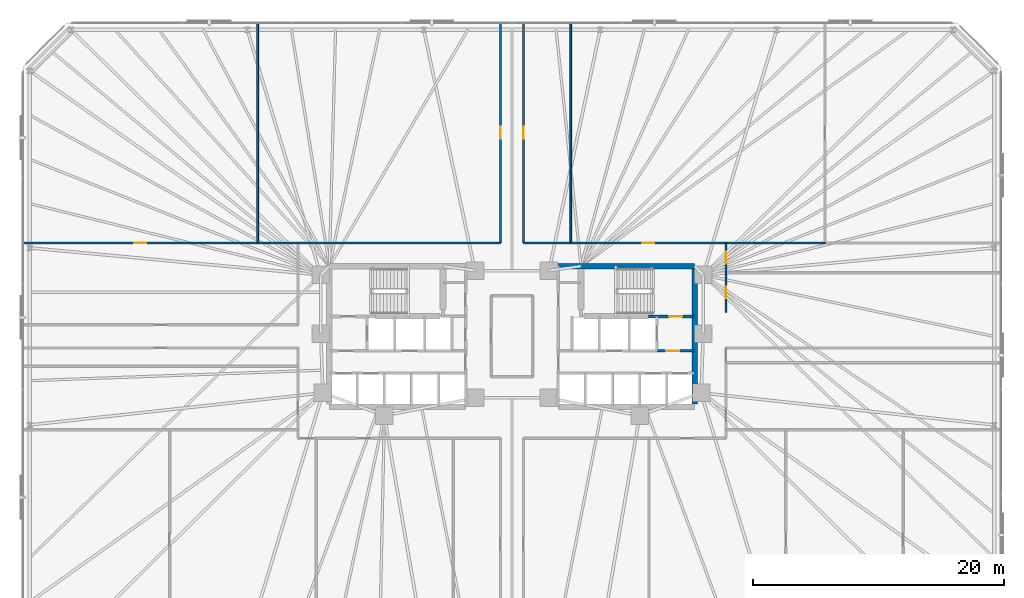
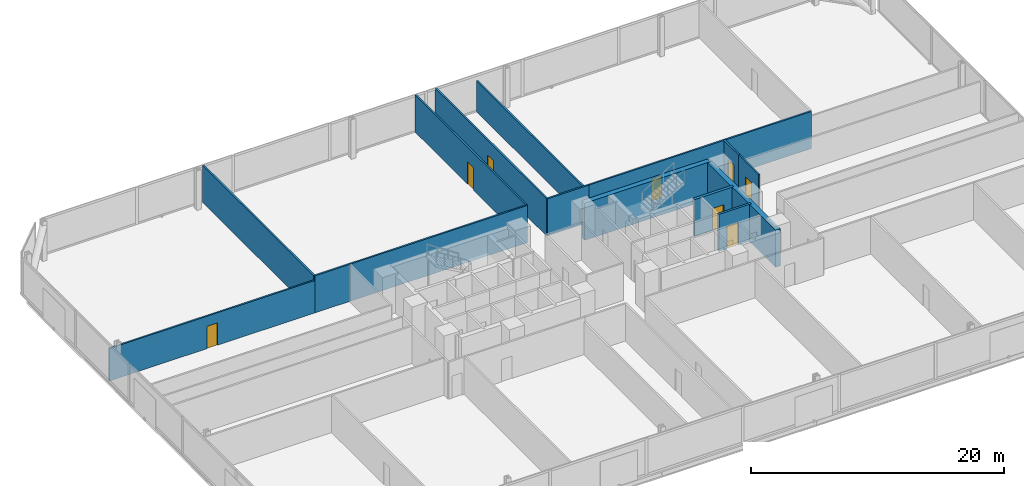
# One storey, part 14 of 17: 16 walls, 8 doors, 8 openings.
"""IFC4 building model written with IfcOpenShell, lengths in metres."""

import ifcopenshell
import ifcopenshell.guid

model = None  # the IFC model being written
_history = None  # IfcOwnerHistory: only IFC2X3 demands one
_inside = {}  # id of a spatial element -> (the spatial element, [elements in it])
_under = {}  # id of a project, library or spatial element -> (it, [spatial elements below it])
_declared = {}  # id of a project -> (the project, [libraries it declares])
_typed = {}  # id of a type object -> (the type object, [elements of that type])
_made_of = {}  # id of a material, layer set ... -> (it, [elements and type objects made of it])


def new_model(schema):
    """Start an empty IFC model of exactly this schema.

    Asked for "IFC4X3", IfcOpenShell would pick the latest addendum, in which some entities
    have other attributes; the version numbers below select the first issue.
    IFC2X3 requires an IfcOwnerHistory on every rooted entity: one is made here for all.
    """
    global model, _history
    if schema == "IFC4X3":
        model = ifcopenshell.file(schema_version=(4, 3, 0, 0))
    else:
        model = ifcopenshell.file(schema=schema)
    _inside.clear()
    _under.clear()
    _declared.clear()
    _typed.clear()
    _made_of.clear()
    _history = None
    if model.schema == "IFC2X3":
        org = make("IfcOrganization", Name="unknown")
        user = make(
            "IfcPersonAndOrganization",
            ThePerson=make("IfcPerson", FamilyName="unknown"),
            TheOrganization=org,
        )
        app = make(
            "IfcApplication",
            ApplicationDeveloper=org,
            Version="unknown",
            ApplicationFullName="unknown",
            ApplicationIdentifier="unknown",
        )
        _history = make(
            "IfcOwnerHistory",
            OwningUser=user,
            OwningApplication=app,
            ChangeAction="ADDED",
            CreationDate=0,
        )
    return model


def make(cls, **values):
    """One entity of the class cls with the attributes given. An attribute that is None is left unset."""
    return model.create_entity(
        cls, **{name: value for name, value in values.items() if value is not None}
    )


def rooted(cls, **values):
    """An entity with a GlobalId (a new one), such as an element, a storey or a relation."""
    return make(cls, GlobalId=ifcopenshell.guid.new(), OwnerHistory=_history, **values)


def si_unit(unit_type, name, prefix=None):
    """IfcSIUnit, for example si_unit("LENGTHUNIT", "METRE", prefix="MILLI")."""
    return make("IfcSIUnit", UnitType=unit_type, Prefix=prefix, Name=name)


def assignment(units):
    """IfcUnitAssignment: the units of a project."""
    return None if units is None else make("IfcUnitAssignment", Units=units)


def point(xyz):
    """IfcCartesianPoint."""
    return None if xyz is None else make("IfcCartesianPoint", Coordinates=xyz)


def direction(xyz):
    """IfcDirection."""
    return None if xyz is None else make("IfcDirection", DirectionRatios=xyz)


def frame(location, z_axis=None, x_axis=None):
    """IfcAxis2Placement3D, a coordinate frame: its origin and axes. An axis left out is left unset."""
    return make(
        "IfcAxis2Placement3D",
        Location=point(location),
        Axis=direction(z_axis),
        RefDirection=direction(x_axis),
    )


def frame_2d(location, x_axis=None):
    """IfcAxis2Placement2D, a coordinate frame in the plane: its origin and x axis."""
    return make(
        "IfcAxis2Placement2D", Location=point(location), RefDirection=direction(x_axis)
    )


def origin():
    """The frame at (0, 0, 0) with its axes left unset."""
    return frame((0.0, 0.0, 0.0))


def place(relative_to, where):
    """IfcLocalPlacement: puts the frame where relative to a parent placement (None: the world)."""
    return make(
        "IfcLocalPlacement", PlacementRelTo=relative_to, RelativePlacement=where
    )


def context(
    kind, dimensions, precision=None, world=None, true_north=None, identifier=None
):
    """IfcGeometricRepresentationContext, for example the 3D "Model" context."""
    return make(
        "IfcGeometricRepresentationContext",
        ContextIdentifier=identifier,
        ContextType=kind,
        CoordinateSpaceDimension=dimensions,
        Precision=precision,
        WorldCoordinateSystem=world,
        TrueNorth=true_north,
    )


def subcontext(parent, identifier, kind, view, scale=None):
    """IfcGeometricRepresentationSubContext, for example "Body" below "Model"."""
    return make(
        "IfcGeometricRepresentationSubContext",
        ContextIdentifier=identifier,
        ContextType=kind,
        ParentContext=parent,
        TargetScale=scale,
        TargetView=view,
    )


def project(units=None, contexts=None):
    """IfcProject with its units and contexts."""
    return rooted(
        "IfcProject",
        Name="project",
        RepresentationContexts=contexts,
        UnitsInContext=assignment(units),
    )


def spatial(cls, under=None, at=None, **own):
    """A site, building, storey or space (cls), placed at a placement, below another one or the project."""
    s = rooted(cls, ObjectPlacement=at, **own)
    if under is not None:
        _under.setdefault(under.id(), (under, []))[1].append(s)
    return s


def profile(cls, at=None, kind="AREA", **sizes):
    """A parametric profile (cls). Its sizes go by their IFC names, for example OverallWidth=200.0."""
    return make(cls, ProfileType=kind, Position=at, **sizes)


def rectangle(**sizes):
    """IfcRectangleProfileDef."""
    return profile("IfcRectangleProfileDef", **sizes)


def extrude(swept, where, along, depth):
    """IfcExtrudedAreaSolid: the profile swept, set in the frame where, extruded along a direction by depth."""
    return make(
        "IfcExtrudedAreaSolid",
        SweptArea=swept,
        Position=where,
        ExtrudedDirection=direction(along),
        Depth=depth,
    )


def shape(context_of_items, identifier, shape_type, items):
    """IfcShapeRepresentation: the items that make up one representation, for example the "Body"."""
    return make(
        "IfcShapeRepresentation",
        ContextOfItems=context_of_items,
        RepresentationIdentifier=identifier,
        RepresentationType=shape_type,
        Items=items,
    )


def material(Name=None, Category=None):
    """IfcMaterial."""
    return make("IfcMaterial", Name=Name, Category=Category)


def layer(
    of_material, thickness, ventilated=None, Name=None, Category=None, Priority=None
):
    """IfcMaterialLayer: one layer of a wall or slab, of a material (None: an air gap)."""
    return make(
        "IfcMaterialLayer",
        Material=of_material,
        LayerThickness=thickness,
        IsVentilated=ventilated,
        Name=Name,
        Category=Category,
        Priority=Priority,
    )


def layer_set(layers, Name=None):
    """IfcMaterialLayerSet."""
    return make("IfcMaterialLayerSet", MaterialLayers=layers, LayerSetName=Name)


def made_of(thing, what):
    """Note that an element or type object is made of a material, layer set ...; save() writes the relation."""
    if what is not None:
        _made_of.setdefault(what.id(), (what, []))[1].append(thing)
    return thing


def type_object(cls, material=None, **own):
    """A type object (cls), such as IfcWallType, which elements share."""
    return made_of(rooted(cls, **own), material)


def element(
    cls,
    number,
    at=None,
    inside=None,
    cuts=None,
    type_object=None,
    material=None,
    context=None,
    identifier="Body",
    shape_type=None,
    held_by="IfcProductDefinitionShape",
    body=None,
    shapes=None,
    **own,
):
    """One element of the class cls, such as IfcWall. Its Tag is "e" and its number.

    at: its placement. inside: the storey or other place that contains it. cuts: it is an
    opening in that element (IfcRelVoidsElement). A single representation is given by context,
    identifier, shape_type and body (its items); several are given by shapes. held_by: the class
    of the entity that holds the representations. save() writes the other relations.
    """
    e = rooted(cls, Tag="e%d" % number, ObjectPlacement=at, **own)
    if body is not None:
        shapes = [shape(context, identifier, shape_type, body)]
    if shapes is not None:
        e.Representation = make(held_by, Representations=shapes)
    if inside is not None:
        _inside.setdefault(inside.id(), (inside, []))[1].append(e)
    if cuts is not None:
        rooted(
            "IfcRelVoidsElement", RelatingBuildingElement=cuts, RelatedOpeningElement=e
        )
    if type_object is not None:
        _typed.setdefault(type_object.id(), (type_object, []))[1].append(e)
    return made_of(e, material)


def fill(opening, filler):
    """IfcRelFillsElement: the door or window that sits in an opening."""
    return rooted(
        "IfcRelFillsElement",
        RelatingOpeningElement=opening,
        RelatedBuildingElement=filler,
    )


def aggregate(whole, parts):
    """IfcRelAggregates: a whole, such as a stair, and the parts it consists of."""
    return rooted("IfcRelAggregates", RelatingObject=whole, RelatedObjects=parts)


def save(model, path):
    """Write the relations noted so far, then the file.

    IfcRelAggregates (storeys below a building ...), IfcRelContainedInSpatialStructure (elements
    in a storey), IfcRelDefinesByType, IfcRelAssociatesMaterial and IfcRelDeclares: one each for
    every whole, place, type object, material and project.
    """
    for whole, parts in _under.values():
        aggregate(whole, parts)
    for where, things in _inside.values():
        rooted(
            "IfcRelContainedInSpatialStructure",
            RelatedElements=things,
            RelatingStructure=where,
        )
    for kind, things in _typed.values():
        rooted("IfcRelDefinesByType", RelatedObjects=things, RelatingType=kind)
    for what, things in _made_of.values():
        rooted("IfcRelAssociatesMaterial", RelatedObjects=things, RelatingMaterial=what)
    for by, libraries in _declared.values():
        rooted("IfcRelDeclares", RelatingContext=by, RelatedDefinitions=libraries)
    model.write(path)


model = new_model("IFC4")

# Units and contexts
model_context = context("Model", 3, precision=1e-05, world=origin(), true_north=direction((0.0, 1.0)))
body_context = subcontext(model_context, "Body", "Model", "MODEL_VIEW")
ifc_project = project(units=[si_unit("LENGTHUNIT", "METRE"), si_unit("AREAUNIT", "SQUARE_METRE"), si_unit("VOLUMEUNIT", "CUBIC_METRE"), si_unit("PLANEANGLEUNIT", "RADIAN"), si_unit("MASSUNIT", "GRAM", prefix="KILO")], contexts=[model_context])

# Site, building, storey
site_placement = place(None, origin())
site = spatial("IfcSite", under=ifc_project, at=site_placement, CompositionType="ELEMENT")
building_placement = place(site_placement, origin())
building = spatial("IfcBuilding", under=site, at=building_placement, Name="Menara Jurai Vektor", CompositionType="ELEMENT")
storey_placement = place(building_placement, frame((0.0, 0.0, 29.39990234375)))
storey = spatial("IfcBuildingStorey", under=building, at=storey_placement, Name="L06", CompositionType="ELEMENT", Elevation=29.39990234375)

# Wall, opening, door
ifc_material_1 = material(Name="Concrete C40/50", Category="concrete")
ifc_layer_1 = layer(ifc_material_1, 0.25)
ifc_layer_set_1 = layer_set([ifc_layer_1], Name="Concrete C40/50")
wall_type_1 = type_object("IfcWallType", Name="INT-WALL-CORE-250", PredefinedType="STANDARD", material=ifc_layer_set_1)
wall_1_placement = place(storey_placement, frame((10.89990234375, 1.60009765625, 0.0), z_axis=(0.0, 0.0, 1.0), x_axis=(1.0, 0.0, 0.0)))
wall_1 = element("IfcWall", 1, at=wall_1_placement, inside=storey, type_object=wall_type_1, Name="Interior Wall IW-250 L06", PredefinedType="STANDARD", context=body_context, shape_type="SweptSolid", body=[
    extrude(rectangle(XDim=3.60009765625, YDim=0.25, at=frame_2d((1.800048828125, 0.0))), origin(), (0.0, 0.0, 1.0), 3.5751953125),
])
opening_1_placement = place(wall_1_placement, frame((1.6201171875, 0.0, 0.0)))
opening_1 = element("IfcOpeningElement", 2, at=opening_1_placement, cuts=wall_1, Name="Opening D-L06-ST2", PredefinedType="OPENING", context=body_context, shape_type="SweptSolid", body=[
    extrude(rectangle(XDim=1.050048828125, YDim=2.14990234375, at=frame_2d((0.52490234375, 1.074951171875))), frame((0.0, 0.135009765625, 0.0), z_axis=(0.0, -1.0, 0.0), x_axis=(1.0, 0.0, 0.0)), (0.0, 0.0, 1.0), 0.27001953125),
])
ifc_material_2 = material(Name="Fire-Rated Steel Door", Category="steel")
door_type_1 = type_object("IfcDoorType", Name="DR-STAIR-1050", OperationType="NOTDEFINED", PredefinedType="DOOR", material=ifc_material_2)
door_1_placement = place(opening_1_placement, origin())
door_1 = element("IfcDoor", 3, at=door_1_placement, inside=storey, type_object=door_type_1, Name="Exit Stair ST2 Door L06", OperationType="SINGLE_SWING_LEFT", OverallHeight=2.14990234375, OverallWidth=1.050048828125, PredefinedType="DOOR", context=body_context, shape_type="SweptSolid", body=[
    extrude(rectangle(XDim=1.050048828125, YDim=2.14990234375, at=frame_2d((0.52490234375, 1.074951171875))), frame((0.0, 0.02490234375, 0.0), z_axis=(0.0, -1.0, 0.0), x_axis=(1.0, 0.0, 0.0)), (0.0, 0.0, 1.0), 0.050048828125),
])
fill(opening_1, door_1)

wall_2_placement = place(storey_placement, frame((11.550048828125, -1.14990234375, 0.0), z_axis=(0.0, 0.0, 1.0), x_axis=(1.0, 0.0, 0.0)))
wall_2 = element("IfcWall", 4, at=wall_2_placement, inside=storey, type_object=wall_type_1, Name="Interior Wall IW-250 L06", PredefinedType="STANDARD", context=body_context, shape_type="SweptSolid", body=[
    extrude(rectangle(XDim=2.949951171875, YDim=0.199951171875, at=frame_2d((1.47509765625, 0.0))), origin(), (0.0, 0.0, 1.0), 3.5751953125),
])
opening_2_placement = place(wall_2_placement, frame((0.75, 0.0, 0.0)))
opening_2 = element("IfcOpeningElement", 5, at=opening_2_placement, cuts=wall_2, Name="Opening D-L06-FFE", PredefinedType="OPENING", context=body_context, shape_type="SweptSolid", body=[
    extrude(rectangle(XDim=1.050048828125, YDim=2.179931640625, at=frame_2d((0.52490234375, 1.08984375))), frame((0.0, 0.10986328125, 0.0), z_axis=(0.0, -1.0, 0.0), x_axis=(1.0, 0.0, 0.0)), (0.0, 0.0, 1.0), 0.219970703125),
])
ifc_material_3 = material(Name="Fire-Rated Timber Door", Category="wood")
door_type_2 = type_object("IfcDoorType", Name="DR-LOBBY-1050", OperationType="NOTDEFINED", PredefinedType="DOOR", material=ifc_material_3)
door_2_placement = place(opening_2_placement, origin())
door_2 = element("IfcDoor", 6, at=door_2_placement, inside=storey, type_object=door_type_2, Name="Fire Lift Lobby Door E L06", OperationType="SINGLE_SWING_LEFT", OverallHeight=2.179931640625, OverallWidth=1.050048828125, PredefinedType="DOOR", context=body_context, shape_type="SweptSolid", body=[
    extrude(rectangle(XDim=1.050048828125, YDim=2.179931640625, at=frame_2d((0.52490234375, 1.08984375))), frame((0.0, 0.02490234375, 0.0), z_axis=(0.0, -1.0, 0.0), x_axis=(1.0, 0.0, 0.0)), (0.0, 0.0, 1.0), 0.050048828125),
])
fill(opening_2, door_2)

# Wall
ifc_material_4 = material(Name="Gypsum Fireboard Partition", Category="gypsum")
ifc_layer_2 = layer(ifc_material_4, 0.14990234375)
ifc_layer_set_2 = layer_set([ifc_layer_2], Name="Gypsum Fireboard Partition")
wall_type_2 = type_object("IfcWallType", Name="INT-WALL-CORR-150", PredefinedType="PARTITIONING", material=ifc_layer_set_2)
wall_3_placement = place(storey_placement, frame((-17.05908203125, 7.449951171875, 0.0), z_axis=(0.0, 0.0, 1.0), x_axis=(1.0, 0.0, 0.0)))
element("IfcWall", 7, at=wall_3_placement, inside=storey, type_object=wall_type_2, Name="Interior Wall IW-150 L06", PredefinedType="PARTITIONING", context=body_context, shape_type="SweptSolid", body=[
    extrude(rectangle(XDim=16.13916015625, YDim=0.14990234375, at=frame_2d((8.069580078125, 0.0))), origin(), (0.0, 0.0, 1.0), 3.5751953125),
])

# Wall, opening, door
wall_4_placement = place(storey_placement, frame((-0.919921875, 7.449951171875, 0.0), z_axis=(0.0, 0.0, 1.0), x_axis=(0.0, 1.0, 0.0)))
wall_4 = element("IfcWall", 8, at=wall_4_placement, inside=storey, type_object=wall_type_2, Name="Interior Wall IW-150 L06", PredefinedType="PARTITIONING", context=body_context, shape_type="SweptSolid", body=[
    extrude(rectangle(XDim=17.550048828125, YDim=0.14990234375, at=frame_2d((8.77490234375, 0.0))), origin(), (0.0, 0.0, 1.0), 3.5751953125),
])
opening_3_placement = place(wall_4_placement, frame((8.300048828125, 0.0, 0.0)))
opening_3 = element("IfcOpeningElement", 9, at=opening_3_placement, cuts=wall_4, Name="Opening D06-05", PredefinedType="OPENING", context=body_context, shape_type="SweptSolid", body=[
    extrude(rectangle(XDim=0.949951171875, YDim=2.14990234375, at=frame_2d((0.47509765625, 1.074951171875))), frame((0.0, 0.0849609375, 0.0), z_axis=(0.0, -1.0, 0.0), x_axis=(1.0, 0.0, 0.0)), (0.0, 0.0, 1.0), 0.169921875),
])
ifc_material_5 = material(Name="Solid Core Timber Fire Door", Category="wood")
door_type_3 = type_object("IfcDoorType", Name="DR-ENTRY-950", OperationType="NOTDEFINED", PredefinedType="DOOR", material=ifc_material_5)
door_3_placement = place(opening_3_placement, origin())
door_3 = element("IfcDoor", 10, at=door_3_placement, inside=storey, type_object=door_type_3, Name="Interior Door D06-05", OperationType="SINGLE_SWING_RIGHT", OverallHeight=2.14990234375, OverallWidth=0.949951171875, PredefinedType="DOOR", context=body_context, shape_type="SweptSolid", body=[
    extrude(rectangle(XDim=0.949951171875, YDim=2.14990234375, at=frame_2d((0.47509765625, 1.074951171875))), frame((0.0, 0.02490234375, 0.0), z_axis=(0.0, -1.0, 0.0), x_axis=(1.0, 0.0, 0.0)), (0.0, 0.0, 1.0), 0.050048828125),
])
fill(opening_3, door_3)

wall_5_placement = place(storey_placement, frame((0.919921875, 7.449951171875, 0.0), z_axis=(0.0, 0.0, 1.0), x_axis=(0.0, 1.0, 0.0)))
wall_5 = element("IfcWall", 11, at=wall_5_placement, inside=storey, type_object=wall_type_2, Name="Interior Wall IW-150 L06", PredefinedType="PARTITIONING", context=body_context, shape_type="SweptSolid", body=[
    extrude(rectangle(XDim=17.550048828125, YDim=0.14990234375, at=frame_2d((8.77490234375, 0.0))), origin(), (0.0, 0.0, 1.0), 3.5751953125),
])
opening_4_placement = place(wall_5_placement, frame((8.300048828125, 0.0, 0.0)))
opening_4 = element("IfcOpeningElement", 12, at=opening_4_placement, cuts=wall_5, Name="Opening D06-06", PredefinedType="OPENING", context=body_context, shape_type="SweptSolid", body=[
    extrude(rectangle(XDim=0.949951171875, YDim=2.14990234375, at=frame_2d((0.47509765625, 1.074951171875))), frame((0.0, 0.0849609375, 0.0), z_axis=(0.0, -1.0, 0.0), x_axis=(1.0, 0.0, 0.0)), (0.0, 0.0, 1.0), 0.169921875),
])
door_4_placement = place(opening_4_placement, origin())
door_4 = element("IfcDoor", 13, at=door_4_placement, inside=storey, type_object=door_type_3, Name="Interior Door D06-06", OperationType="SINGLE_SWING_LEFT", OverallHeight=2.14990234375, OverallWidth=0.949951171875, PredefinedType="DOOR", context=body_context, shape_type="SweptSolid", body=[
    extrude(rectangle(XDim=0.949951171875, YDim=2.14990234375, at=frame_2d((0.47509765625, 1.074951171875))), frame((0.0, 0.02490234375, 0.0), z_axis=(0.0, -1.0, 0.0), x_axis=(1.0, 0.0, 0.0)), (0.0, 0.0, 1.0), 0.050048828125),
])
fill(opening_4, door_4)

# Wall
wall_6_placement = place(storey_placement, frame((0.919921875, 7.449951171875, 0.0), z_axis=(0.0, 0.0, 1.0), x_axis=(1.0, 0.0, 0.0)))
element("IfcWall", 14, at=wall_6_placement, inside=storey, type_object=wall_type_2, Name="Interior Wall IW-150 L06", PredefinedType="PARTITIONING", context=body_context, shape_type="SweptSolid", body=[
    extrude(rectangle(XDim=3.760009765625, YDim=0.14990234375, at=frame_2d((1.8798828125, 0.0))), origin(), (0.0, 0.0, 1.0), 3.5751953125),
])

# Wall, opening, door
wall_7_placement = place(storey_placement, frame((4.679931640625, 7.449951171875, 0.0), z_axis=(0.0, 0.0, 1.0), x_axis=(1.0, 0.0, 0.0)))
wall_7 = element("IfcWall", 15, at=wall_7_placement, inside=storey, type_object=wall_type_2, Name="Interior Wall IW-150 L06", PredefinedType="PARTITIONING", context=body_context, shape_type="SweptSolid", body=[
    extrude(rectangle(XDim=12.379150390625, YDim=0.14990234375, at=frame_2d((6.189453125, 0.0))), origin(), (0.0, 0.0, 1.0), 3.5751953125),
])
opening_5_placement = place(wall_7_placement, frame((5.714599609375, 0.0, 0.0)))
opening_5 = element("IfcOpeningElement", 16, at=opening_5_placement, cuts=wall_7, Name="Opening D06-07", PredefinedType="OPENING", context=body_context, shape_type="SweptSolid", body=[
    extrude(rectangle(XDim=0.949951171875, YDim=2.14990234375, at=frame_2d((0.47509765625, 1.074951171875))), frame((0.0, 0.0849609375, 0.0), z_axis=(0.0, -1.0, 0.0), x_axis=(1.0, 0.0, 0.0)), (0.0, 0.0, 1.0), 0.169921875),
])
door_5_placement = place(opening_5_placement, origin())
door_5 = element("IfcDoor", 17, at=door_5_placement, inside=storey, type_object=door_type_3, Name="Interior Door D06-07", OperationType="SINGLE_SWING_RIGHT", OverallHeight=2.14990234375, OverallWidth=0.949951171875, PredefinedType="DOOR", context=body_context, shape_type="SweptSolid", body=[
    extrude(rectangle(XDim=0.949951171875, YDim=2.14990234375, at=frame_2d((0.47509765625, 1.074951171875))), frame((0.0, 0.02490234375, 0.0), z_axis=(0.0, -1.0, 0.0), x_axis=(1.0, 0.0, 0.0)), (0.0, 0.0, 1.0), 0.050048828125),
])
fill(opening_5, door_5)

wall_8_placement = place(storey_placement, frame((17.05908203125, 1.93701171875, 0.0), z_axis=(0.0, 0.0, 1.0), x_axis=(0.0, 1.0, 0.0)))
wall_8 = element("IfcWall", 18, at=wall_8_placement, inside=storey, type_object=wall_type_2, Name="Interior Wall IW-150 L06", PredefinedType="PARTITIONING", context=body_context, shape_type="SweptSolid", body=[
    extrude(rectangle(XDim=3.12890625, YDim=0.14990234375, at=frame_2d((1.564453125, 0.0))), origin(), (0.0, 0.0, 1.0), 3.5751953125),
])
opening_6_placement = place(wall_8_placement, frame((1.089599609375, 0.0, 0.0)))
opening_6 = element("IfcOpeningElement", 19, at=opening_6_placement, cuts=wall_8, Name="Opening D06-18", PredefinedType="OPENING", context=body_context, shape_type="SweptSolid", body=[
    extrude(rectangle(XDim=0.949951171875, YDim=2.14990234375, at=frame_2d((0.47509765625, 1.074951171875))), frame((0.0, 0.0849609375, 0.0), z_axis=(0.0, -1.0, 0.0), x_axis=(1.0, 0.0, 0.0)), (0.0, 0.0, 1.0), 0.169921875),
])
door_6_placement = place(opening_6_placement, origin())
door_6 = element("IfcDoor", 20, at=door_6_placement, inside=storey, type_object=door_type_3, Name="Interior Door D06-18", OperationType="SINGLE_SWING_LEFT", OverallHeight=2.14990234375, OverallWidth=0.949951171875, PredefinedType="DOOR", context=body_context, shape_type="SweptSolid", body=[
    extrude(rectangle(XDim=0.949951171875, YDim=2.14990234375, at=frame_2d((0.47509765625, 1.074951171875))), frame((0.0, 0.02490234375, 0.0), z_axis=(0.0, -1.0, 0.0), x_axis=(1.0, 0.0, 0.0)), (0.0, 0.0, 1.0), 0.050048828125),
])
fill(opening_6, door_6)

wall_9_placement = place(storey_placement, frame((17.05908203125, 5.06591796875, 0.0), z_axis=(0.0, 0.0, 1.0), x_axis=(0.0, 1.0, 0.0)))
wall_9 = element("IfcWall", 21, at=wall_9_placement, inside=storey, type_object=wall_type_2, Name="Interior Wall IW-150 L06", PredefinedType="PARTITIONING", context=body_context, shape_type="SweptSolid", body=[
    extrude(rectangle(XDim=2.384033203125, YDim=0.14990234375, at=frame_2d((1.19189453125, 0.0))), origin(), (0.0, 0.0, 1.0), 3.5751953125),
])
opening_7_placement = place(wall_9_placement, frame((0.717041015625, 0.0, 0.0)))
opening_7 = element("IfcOpeningElement", 22, at=opening_7_placement, cuts=wall_9, Name="Opening D06-19", PredefinedType="OPENING", context=body_context, shape_type="SweptSolid", body=[
    extrude(rectangle(XDim=0.949951171875, YDim=2.14990234375, at=frame_2d((0.47509765625, 1.074951171875))), frame((0.0, 0.0849609375, 0.0), z_axis=(0.0, -1.0, 0.0), x_axis=(1.0, 0.0, 0.0)), (0.0, 0.0, 1.0), 0.169921875),
])
door_7_placement = place(opening_7_placement, origin())
door_7 = element("IfcDoor", 23, at=door_7_placement, inside=storey, type_object=door_type_3, Name="Interior Door D06-19", OperationType="SINGLE_SWING_RIGHT", OverallHeight=2.14990234375, OverallWidth=0.949951171875, PredefinedType="DOOR", context=body_context, shape_type="SweptSolid", body=[
    extrude(rectangle(XDim=0.949951171875, YDim=2.14990234375, at=frame_2d((0.47509765625, 1.074951171875))), frame((0.0, 0.02490234375, 0.0), z_axis=(0.0, -1.0, 0.0), x_axis=(1.0, 0.0, 0.0)), (0.0, 0.0, 1.0), 0.050048828125),
])
fill(opening_7, door_7)

# Walls
wall_10_placement = place(storey_placement, frame((-20.280029296875, 7.449951171875, 0.0), z_axis=(0.0, 0.0, 1.0), x_axis=(0.0, 1.0, 0.0)))
element("IfcWall", 24, at=wall_10_placement, inside=storey, type_object=wall_type_2, Name="Interior Wall IW-150 L06", PredefinedType="PARTITIONING", context=body_context, shape_type="SweptSolid", body=[
    extrude(rectangle(XDim=17.550048828125, YDim=0.14990234375, at=frame_2d((8.77490234375, 0.0))), origin(), (0.0, 0.0, 1.0), 3.5751953125),
])
wall_11_placement = place(storey_placement, frame((-20.280029296875, 7.449951171875, 0.0), z_axis=(0.0, 0.0, 1.0), x_axis=(1.0, 0.0, 0.0)))
element("IfcWall", 25, at=wall_11_placement, inside=storey, type_object=wall_type_2, Name="Interior Wall IW-150 L06", PredefinedType="PARTITIONING", context=body_context, shape_type="SweptSolid", body=[
    extrude(rectangle(XDim=3.220947265625, YDim=0.14990234375, at=frame_2d((1.6103515625, 0.0))), origin(), (0.0, 0.0, 1.0), 3.5751953125),
])
wall_12_placement = place(storey_placement, frame((17.05908203125, 7.449951171875, 0.0), z_axis=(0.0, 0.0, 1.0), x_axis=(1.0, 0.0, 0.0)))
element("IfcWall", 26, at=wall_12_placement, inside=storey, type_object=wall_type_2, Name="Interior Wall IW-150 L06", PredefinedType="PARTITIONING", context=body_context, shape_type="SweptSolid", body=[
    extrude(rectangle(XDim=7.90087890625, YDim=0.14990234375, at=frame_2d((3.950439453125, 0.0))), origin(), (0.0, 0.0, 1.0), 3.5751953125),
])

# Wall, opening, door
ifc_layer_3 = layer(ifc_material_4, 0.14990234375)
ifc_layer_set_3 = layer_set([ifc_layer_3], Name="Gypsum Fireboard Partition")
wall_type_3 = type_object("IfcWallType", Name="INT-WALL-CORR-150-H1", PredefinedType="PARTITIONING", material=ifc_layer_set_3)
wall_13_placement = place(storey_placement, frame((-39.0, 7.449951171875, 0.0), z_axis=(0.0, 0.0, 1.0), x_axis=(1.0, 0.0, 0.0)))
wall_13 = element("IfcWall", 27, at=wall_13_placement, inside=storey, type_object=wall_type_3, Name="Interior Wall IW-150 L06", PredefinedType="PARTITIONING", context=body_context, shape_type="SweptSolid", body=[
    extrude(rectangle(XDim=18.719970703125, YDim=0.14990234375, at=frame_2d((9.35986328125, 0.0))), origin(), (0.0, 0.0, 1.0), 3.125),
])
opening_8_placement = place(wall_13_placement, frame((8.885009765625, 0.0, 0.0)))
opening_8 = element("IfcOpeningElement", 28, at=opening_8_placement, cuts=wall_13, Name="Opening D06-20", PredefinedType="OPENING", context=body_context, shape_type="SweptSolid", body=[
    extrude(rectangle(XDim=0.949951171875, YDim=2.14990234375, at=frame_2d((0.47509765625, 1.074951171875))), frame((0.0, 0.0849609375, 0.0), z_axis=(0.0, -1.0, 0.0), x_axis=(1.0, 0.0, 0.0)), (0.0, 0.0, 1.0), 0.169921875),
])
door_8_placement = place(opening_8_placement, origin())
door_8 = element("IfcDoor", 29, at=door_8_placement, inside=storey, type_object=door_type_3, Name="Interior Door D06-20", OperationType="SINGLE_SWING_LEFT", OverallHeight=2.14990234375, OverallWidth=0.949951171875, PredefinedType="DOOR", context=body_context, shape_type="SweptSolid", body=[
    extrude(rectangle(XDim=0.949951171875, YDim=2.14990234375, at=frame_2d((0.47509765625, 1.074951171875))), frame((0.0, 0.02490234375, 0.0), z_axis=(0.0, -1.0, 0.0), x_axis=(1.0, 0.0, 0.0)), (0.0, 0.0, 1.0), 0.050048828125),
])
fill(opening_8, door_8)

# Walls
ifc_layer_4 = layer(ifc_material_4, 0.14990234375)
ifc_layer_set_4 = layer_set([ifc_layer_4], Name="Gypsum Fireboard Partition")
wall_type_4 = type_object("IfcWallType", Name="INT-WALL-CORR-150-H2", PredefinedType="PARTITIONING", material=ifc_layer_set_4)
wall_14_placement = place(storey_placement, frame((4.679931640625, 7.449951171875, 0.0), z_axis=(0.0, 0.0, 1.0), x_axis=(0.0, 1.0, 0.0)))
element("IfcWall", 30, at=wall_14_placement, inside=storey, type_object=wall_type_4, Name="Interior Wall IW-150 L06", PredefinedType="PARTITIONING", context=body_context, shape_type="SweptSolid", body=[
    extrude(rectangle(XDim=17.550048828125, YDim=0.14990234375, at=frame_2d((8.77490234375, 0.0))), origin(), (0.0, 0.0, 1.0), 2.97509765625),
])
ifc_material_6 = material(Name="Concrete C60/75", Category="concrete")
ifc_layer_5 = layer(ifc_material_6, 0.449951171875)
ifc_layer_set_5 = layer_set([ifc_layer_5], Name="Concrete C60/75")
wall_type_5 = type_object("IfcWallType", Name="STR-WALL-CORE450", PredefinedType="SHEAR", material=ifc_layer_set_5)
wall_15_placement = place(storey_placement, frame((3.14990234375, 5.60009765625, 0.0), z_axis=(0.0, 0.0, 1.0), x_axis=(1.0, 0.0, 0.0)))
element("IfcWall", 31, at=wall_15_placement, inside=storey, type_object=wall_type_5, Name="Core Shear Wall CW-E-N L06", PredefinedType="SHEAR", context=body_context, shape_type="SweptSolid", body=[
    extrude(rectangle(XDim=11.41015625, YDim=0.449951171875, at=frame_2d((5.705078125, 0.0))), origin(), (0.0, 0.0, 1.0), 3.5751953125),
])
wall_16_placement = place(storey_placement, frame((14.56005859375, -5.375, 0.0), z_axis=(0.0, 0.0, 1.0), x_axis=(0.0, 1.0, 0.0)))
element("IfcWall", 32, at=wall_16_placement, inside=storey, type_object=wall_type_5, Name="Core Shear Wall CW-E-E L06", PredefinedType="SHEAR", context=body_context, shape_type="SweptSolid", body=[
    extrude(rectangle(XDim=10.75, YDim=0.449951171875, at=frame_2d((5.375, 0.0))), origin(), (0.0, 0.0, 1.0), 3.5751953125),
])

save(model, "model.ifc")
